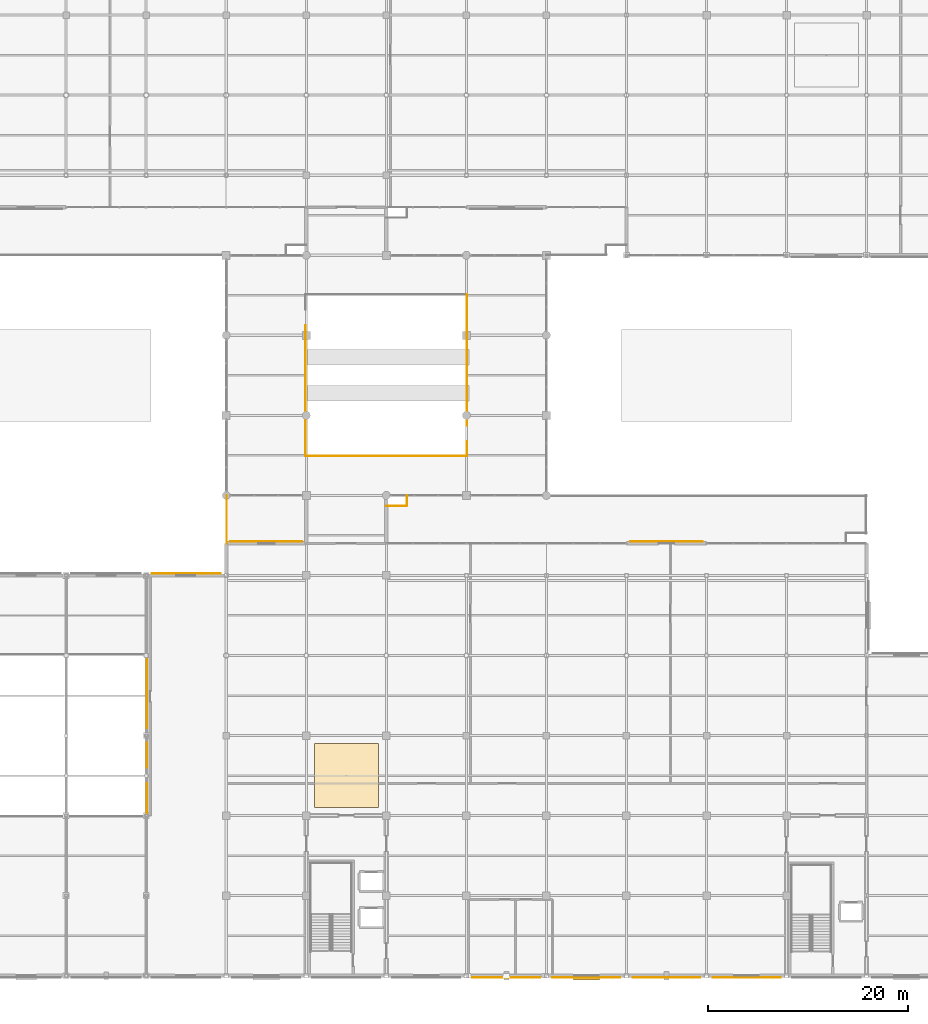
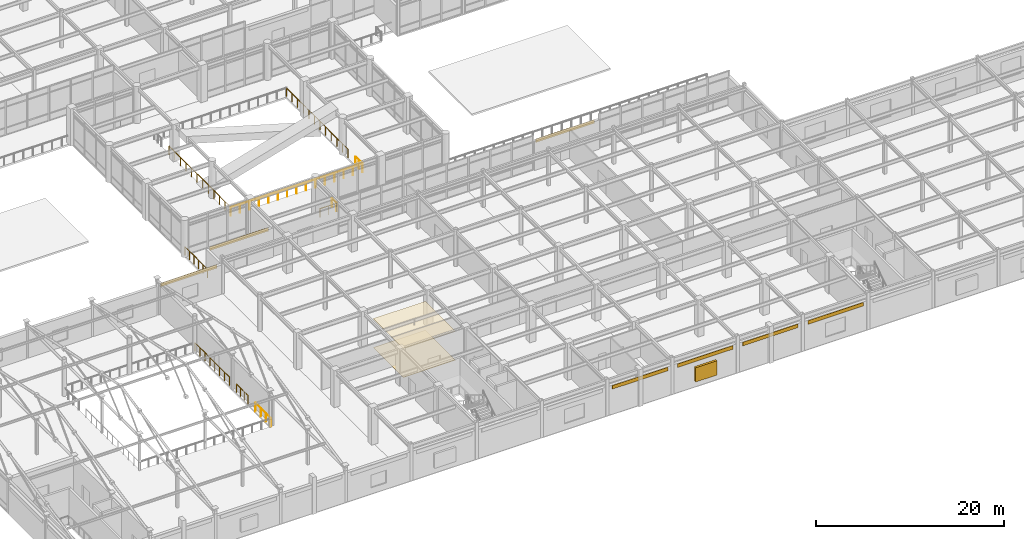
# One storey, part 107 of 117: 10 railings, 9 coverings, 1 shading device.
"""IFC4 building model written with IfcOpenShell, lengths in metres."""

from ifc_helpers import new_model, si_unit, direction, frame, origin, origin_2d, place, context, subcontext, project, spatial, polyline, rectangle, circle, outline, extrude, material, layer, layer_set, type_object, element, save


model = new_model("IFC4")

# Units and contexts
model_context = context("Model", 3, precision=1e-05, world=origin(), true_north=direction((0.0, 1.0)))
body_context = subcontext(model_context, "Body", "Model", "MODEL_VIEW")
ifc_project = project(units=[si_unit("LENGTHUNIT", "METRE"), si_unit("AREAUNIT", "SQUARE_METRE"), si_unit("VOLUMEUNIT", "CUBIC_METRE"), si_unit("PLANEANGLEUNIT", "RADIAN"), si_unit("MASSUNIT", "GRAM", prefix="KILO")], contexts=[model_context])

# Site, building, storey
site_placement = place(None, origin())
site = spatial("IfcSite", under=ifc_project, at=site_placement, CompositionType="ELEMENT")
building_placement = place(site_placement, origin())
building = spatial("IfcBuilding", under=site, at=building_placement, Name="Solmirada Galleria", CompositionType="ELEMENT")
storey_placement = place(building_placement, frame((0.0, 0.0, 5.60009765625)))
storey = spatial("IfcBuildingStorey", under=building, at=storey_placement, Name="L01", CompositionType="ELEMENT", Elevation=5.60009765625)

# Coverings
ifc_material_1 = material(Name="Perforated acoustic mineral-fibre ceiling")
ifc_layer_1 = layer(ifc_material_1, 0.02490234375)
ifc_layer_set_1 = layer_set([ifc_layer_1], Name="Perforated acoustic mineral-fibre ceiling")
covering_type_1 = type_object("IfcCoveringType", Name="COV-CEIL-ACOUST", PredefinedType="CEILING", material=ifc_layer_set_1)
covering_1_placement = place(storey_placement, frame((0.0, 0.0, 3.75)))
element("IfcCovering", 1, at=covering_1_placement, inside=storey, type_object=covering_type_1, Name="Acoustic ceiling panel L01-2", PredefinedType="CEILING", context=body_context, shape_type="SweptSolid", body=[
    extrude(outline(polyline([(88.800048828125, 16.800048828125), (95.199951171875, 16.800048828125), (95.199951171875, 23.199951171875), (88.800048828125, 23.199951171875), (88.800048828125, 16.800048828125)])), origin(), (0.0, 0.0, 1.0), 0.02490234375),
])
ifc_material_2 = material(Name="Limestone cladding panels", Category="masonry")
ifc_layer_2 = layer(ifc_material_2, 0.044921875)
ifc_layer_set_2 = layer_set([ifc_layer_2], Name="Limestone cladding panels")
covering_type_2 = type_object("IfcCoveringType", Name="COV-CLAD-LIME", PredefinedType="CLADDING", material=ifc_layer_set_2)
for number, where, z_axis, x_axis, name in (
    (2, (84.0, 43.392578125, 3.2900390625), (0.0, 0.0, 1.0), (1.0, 0.0, 0.0), "Postmodern facade cladding L01-064"),
    (3, (124.0, 43.392578125, 3.2900390625), (0.0, 0.0, 1.0), (1.0, 0.0, 0.0), "Postmodern facade cladding L01-091"),
):
    element("IfcCovering", number, at=place(storey_placement, frame(where, z_axis=z_axis, x_axis=x_axis)), inside=storey, type_object=covering_type_2, Name=name, PredefinedType="CLADDING", context=body_context, shape_type="SweptSolid", body=[
        extrude(rectangle(XDim=7.199951171875, YDim=0.044921875, at=origin_2d()), origin(), (0.0, 0.0, 1.0), 0.4599609375),
    ])
for number, where, z_axis, x_axis, name in (
    (4, (132.0, -0.1923828125, 3.2900390625), (0.0, 0.0, 1.0), (-1.0, 0.0, 0.0), "Postmodern facade cladding L01-104"),
    (5, (124.0, -0.1923828125, 3.2900390625), (0.0, 0.0, 1.0), (-1.0, 0.0, 0.0), "Postmodern facade cladding L01-105"),
    (6, (116.0, -0.1923828125, 3.2900390625), (0.0, 0.0, 1.0), (-1.0, 0.0, 0.0), "Postmodern facade cladding L01-106"),
    (7, (108.0, -0.202392578125, 3.2900390625), (0.0, 0.0, 1.0), (-1.0, 0.0, 0.0), "Postmodern facade cladding L01-107"),
):
    element("IfcCovering", number, at=place(storey_placement, frame(where, z_axis=z_axis, x_axis=x_axis)), inside=storey, type_object=covering_type_2, Name=name, PredefinedType="CLADDING", context=body_context, shape_type="SweptSolid", body=[
        extrude(rectangle(XDim=6.7939453125, YDim=0.044921875, at=origin_2d()), origin(), (0.0, 0.0, 1.0), 0.4599609375),
    ])
covering_2_placement = place(storey_placement, frame((76.0, 40.1923828125, 3.2900390625), z_axis=(0.0, 0.0, 1.0), x_axis=(1.0, 0.0, 0.0)))
element("IfcCovering", 8, at=covering_2_placement, inside=storey, type_object=covering_type_2, Name="Postmodern facade cladding L01-122", PredefinedType="CLADDING", context=body_context, shape_type="SweptSolid", body=[
    extrude(rectangle(XDim=6.89501953125, YDim=0.044921875, at=origin_2d()), origin(), (0.0, 0.0, 1.0), 0.4599609375),
])
ifc_material_3 = material(Name="Polished terrazzo and porcelain tile flooring")
ifc_layer_3 = layer(ifc_material_3, 0.030029296875)
ifc_layer_set_3 = layer_set([ifc_layer_3], Name="Polished terrazzo and porcelain tile flooring")
covering_type_3 = type_object("IfcCoveringType", Name="COV-FLOOR-TERRAZ", PredefinedType="FLOORING", material=ifc_layer_set_3)
covering_3_placement = place(storey_placement, origin())
element("IfcCovering", 9, at=covering_3_placement, inside=storey, type_object=covering_type_3, Name="Terrazzo floor finish L01-2", PredefinedType="FLOORING", context=body_context, shape_type="SweptSolid", body=[
    extrude(outline(polyline([(88.800048828125, 16.800048828125), (95.199951171875, 16.800048828125), (95.199951171875, 23.199951171875), (88.800048828125, 23.199951171875), (88.800048828125, 16.800048828125)])), origin(), (0.0, 0.0, 1.0), 0.02978515625),
])

# Railings
ifc_material_4 = material(Name="Tempered laminated glass and stainless-steel balustrade", Category="steel")
railing_type_1 = type_object("IfcRailingType", Name="RAIL-ATRIUM-BAL", PredefinedType="BALUSTRADE", material=ifc_material_4)
railing_1_placement = place(storey_placement, frame((87.919921875, 51.919921875, 0.0)))
element("IfcRailing", 10, at=railing_1_placement, inside=storey, type_object=railing_type_1, Name="Void balustrade ATRIUM L01-W1", PredefinedType="BALUSTRADE", context=body_context, shape_type="SweptSolid", body=[
    extrude(circle(Radius=0.02392578125, at=origin_2d()), frame((0.0, 0.0, 1.09619140625), z_axis=(0.0, 1.0, 0.0), x_axis=(-1.0, 0.0, 0.0)), (0.0, 0.0, 1.0), 13.080078125),
    extrude(circle(Radius=0.02099609375, at=origin_2d()), origin(), (0.0, 0.0, 1.0), 1.068115234375),
    extrude(circle(Radius=0.02099609375, at=origin_2d()), frame((0.0, 1.189208984375, 0.0)), (0.0, 0.0, 1.0), 1.068115234375),
    extrude(circle(Radius=0.02099609375, at=origin_2d()), frame((0.0, 2.378173828125, 0.0)), (0.0, 0.0, 1.0), 1.068115234375),
    extrude(circle(Radius=0.02099609375, at=origin_2d()), frame((0.0, 3.5673828125, 0.0)), (0.0, 0.0, 1.0), 1.068115234375),
    extrude(circle(Radius=0.02099609375, at=origin_2d()), frame((0.0, 4.75634765625, 0.0)), (0.0, 0.0, 1.0), 1.068115234375),
    extrude(circle(Radius=0.02099609375, at=origin_2d()), frame((0.0, 5.945556640625, 0.0)), (0.0, 0.0, 1.0), 1.068115234375),
    extrude(circle(Radius=0.02099609375, at=origin_2d()), frame((0.0, 7.134521484375, 0.0)), (0.0, 0.0, 1.0), 1.068115234375),
    extrude(circle(Radius=0.02099609375, at=origin_2d()), frame((0.0, 8.32373046875, 0.0)), (0.0, 0.0, 1.0), 1.068115234375),
    extrude(circle(Radius=0.02099609375, at=origin_2d()), frame((0.0, 9.5126953125, 0.0)), (0.0, 0.0, 1.0), 1.068115234375),
    extrude(circle(Radius=0.02099609375, at=origin_2d()), frame((0.0, 10.701904296875, 0.0)), (0.0, 0.0, 1.0), 1.068115234375),
    extrude(circle(Radius=0.02099609375, at=origin_2d()), frame((0.0, 11.890869140625, 0.0)), (0.0, 0.0, 1.0), 1.068115234375),
    extrude(circle(Radius=0.02099609375, at=origin_2d()), frame((0.0, 13.080078125, 0.0)), (0.0, 0.0, 1.0), 1.068115234375),
])
railing_2_placement = place(storey_placement, frame((104.080078125, 51.919921875, 0.0)))
element("IfcRailing", 11, at=railing_2_placement, inside=storey, type_object=railing_type_1, Name="Void balustrade ATRIUM L01-E1", PredefinedType="BALUSTRADE", context=body_context, shape_type="SweptSolid", body=[
    extrude(circle(Radius=0.02392578125, at=origin_2d()), frame((0.0, 0.0, 1.09619140625), z_axis=(0.0, 1.0, 0.0), x_axis=(-1.0, 0.0, 0.0)), (0.0, 0.0, 1.0), 1.47998046875),
    extrude(circle(Radius=0.02099609375, at=origin_2d()), origin(), (0.0, 0.0, 1.0), 1.068115234375),
    extrude(circle(Radius=0.02099609375, at=origin_2d()), frame((0.0, 0.739990234375, 0.0)), (0.0, 0.0, 1.0), 1.068115234375),
    extrude(circle(Radius=0.02099609375, at=origin_2d()), frame((0.0, 1.47998046875, 0.0)), (0.0, 0.0, 1.0), 1.068115234375),
])
railing_3_placement = place(storey_placement, frame((104.080078125, 55.0, 0.0)))
element("IfcRailing", 12, at=railing_3_placement, inside=storey, type_object=railing_type_1, Name="Void balustrade ATRIUM L01-E2", PredefinedType="BALUSTRADE", context=body_context, shape_type="SweptSolid", body=[
    extrude(circle(Radius=0.02392578125, at=origin_2d()), frame((0.0, 0.0, 1.09619140625), z_axis=(0.0, 1.0, 0.0), x_axis=(-1.0, 0.0, 0.0)), (0.0, 0.0, 1.0), 13.080078125),
    extrude(circle(Radius=0.02099609375, at=origin_2d()), origin(), (0.0, 0.0, 1.0), 1.068115234375),
    extrude(circle(Radius=0.02099609375, at=origin_2d()), frame((0.0, 1.189208984375, 0.0)), (0.0, 0.0, 1.0), 1.068115234375),
    extrude(circle(Radius=0.02099609375, at=origin_2d()), frame((0.0, 2.378173828125, 0.0)), (0.0, 0.0, 1.0), 1.068115234375),
    extrude(circle(Radius=0.02099609375, at=origin_2d()), frame((0.0, 3.5673828125, 0.0)), (0.0, 0.0, 1.0), 1.068115234375),
    extrude(circle(Radius=0.02099609375, at=origin_2d()), frame((0.0, 4.75634765625, 0.0)), (0.0, 0.0, 1.0), 1.068115234375),
    extrude(circle(Radius=0.02099609375, at=origin_2d()), frame((0.0, 5.945556640625, 0.0)), (0.0, 0.0, 1.0), 1.068115234375),
    extrude(circle(Radius=0.02099609375, at=origin_2d()), frame((0.0, 7.134521484375, 0.0)), (0.0, 0.0, 1.0), 1.068115234375),
    extrude(circle(Radius=0.02099609375, at=origin_2d()), frame((0.0, 8.32373046875, 0.0)), (0.0, 0.0, 1.0), 1.068115234375),
    extrude(circle(Radius=0.02099609375, at=origin_2d()), frame((0.0, 9.5126953125, 0.0)), (0.0, 0.0, 1.0), 1.068115234375),
    extrude(circle(Radius=0.02099609375, at=origin_2d()), frame((0.0, 10.701904296875, 0.0)), (0.0, 0.0, 1.0), 1.068115234375),
    extrude(circle(Radius=0.02099609375, at=origin_2d()), frame((0.0, 11.890869140625, 0.0)), (0.0, 0.0, 1.0), 1.068115234375),
    extrude(circle(Radius=0.02099609375, at=origin_2d()), frame((0.0, 13.080078125, 0.0)), (0.0, 0.0, 1.0), 1.068115234375),
])
railing_4_placement = place(storey_placement, frame((87.919921875, 51.919921875, 0.0)))
element("IfcRailing", 13, at=railing_4_placement, inside=storey, type_object=railing_type_1, Name="Void balustrade ATRIUM L01-S", PredefinedType="BALUSTRADE", context=body_context, shape_type="SweptSolid", body=[
    extrude(circle(Radius=0.02392578125, at=origin_2d()), frame((0.0, 0.0, 1.09619140625), z_axis=(1.0, 0.0, 0.0), x_axis=(0.0, 1.0, 0.0)), (0.0, 0.0, 1.0), 16.16015625),
    extrude(circle(Radius=0.02099609375, at=origin_2d()), origin(), (0.0, 0.0, 1.0), 1.068115234375),
    extrude(circle(Radius=0.02099609375, at=origin_2d()), frame((1.154296875, 0.0, 0.0)), (0.0, 0.0, 1.0), 1.068115234375),
    extrude(circle(Radius=0.02099609375, at=origin_2d()), frame((2.30859375, 0.0, 0.0)), (0.0, 0.0, 1.0), 1.068115234375),
    extrude(circle(Radius=0.02099609375, at=origin_2d()), frame((3.462890625, 0.0, 0.0)), (0.0, 0.0, 1.0), 1.068115234375),
    extrude(circle(Radius=0.02099609375, at=origin_2d()), frame((4.6171875, 0.0, 0.0)), (0.0, 0.0, 1.0), 1.068115234375),
    extrude(circle(Radius=0.02099609375, at=origin_2d()), frame((5.771484375, 0.0, 0.0)), (0.0, 0.0, 1.0), 1.068115234375),
    extrude(circle(Radius=0.02099609375, at=origin_2d()), frame((6.92578125, 0.0, 0.0)), (0.0, 0.0, 1.0), 1.068115234375),
    extrude(circle(Radius=0.02099609375, at=origin_2d()), frame((8.080078125, 0.0, 0.0)), (0.0, 0.0, 1.0), 1.068115234375),
    extrude(circle(Radius=0.02099609375, at=origin_2d()), frame((9.234375, 0.0, 0.0)), (0.0, 0.0, 1.0), 1.068115234375),
    extrude(circle(Radius=0.02099609375, at=origin_2d()), frame((10.388671875, 0.0, 0.0)), (0.0, 0.0, 1.0), 1.068115234375),
    extrude(circle(Radius=0.02099609375, at=origin_2d()), frame((11.54296875, 0.0, 0.0)), (0.0, 0.0, 1.0), 1.068115234375),
    extrude(circle(Radius=0.02099609375, at=origin_2d()), frame((12.697265625, 0.0, 0.0)), (0.0, 0.0, 1.0), 1.068115234375),
    extrude(circle(Radius=0.02099609375, at=origin_2d()), frame((13.8515625, 0.0, 0.0)), (0.0, 0.0, 1.0), 1.068115234375),
    extrude(circle(Radius=0.02099609375, at=origin_2d()), frame((15.005859375, 0.0, 0.0)), (0.0, 0.0, 1.0), 1.068115234375),
    extrude(circle(Radius=0.02099609375, at=origin_2d()), frame((16.16015625, 0.0, 0.0)), (0.0, 0.0, 1.0), 1.068115234375),
])
railing_5_placement = place(storey_placement, frame((72.080078125, 15.919921875, 0.0)))
element("IfcRailing", 14, at=railing_5_placement, inside=storey, type_object=railing_type_1, Name="Void balustrade FOODHALL L01-E1", PredefinedType="BALUSTRADE", context=body_context, shape_type="SweptSolid", body=[
    extrude(circle(Radius=0.02392578125, at=origin_2d()), frame((0.0, 0.0, 1.09619140625), z_axis=(0.0, 1.0, 0.0), x_axis=(-1.0, 0.0, 0.0)), (0.0, 0.0, 1.0), 3.280029296875),
    extrude(circle(Radius=0.02099609375, at=origin_2d()), origin(), (0.0, 0.0, 1.0), 1.068115234375),
    extrude(circle(Radius=0.02099609375, at=origin_2d()), frame((0.0, 1.09326171875, 0.0)), (0.0, 0.0, 1.0), 1.068115234375),
    extrude(circle(Radius=0.02099609375, at=origin_2d()), frame((0.0, 2.186767578125, 0.0)), (0.0, 0.0, 1.0), 1.068115234375),
    extrude(circle(Radius=0.02099609375, at=origin_2d()), frame((0.0, 3.280029296875, 0.0)), (0.0, 0.0, 1.0), 1.068115234375),
])
railing_6_placement = place(storey_placement, frame((72.080078125, 20.800048828125, 0.0)))
element("IfcRailing", 15, at=railing_6_placement, inside=storey, type_object=railing_type_1, Name="Void balustrade FOODHALL L01-E2", PredefinedType="BALUSTRADE", context=body_context, shape_type="SweptSolid", body=[
    extrude(circle(Radius=0.02392578125, at=origin_2d()), frame((0.0, 0.0, 1.09619140625), z_axis=(0.0, 1.0, 0.0), x_axis=(-1.0, 0.0, 0.0)), (0.0, 0.0, 1.0), 2.449951171875),
    extrude(circle(Radius=0.02099609375, at=origin_2d()), origin(), (0.0, 0.0, 1.0), 1.068115234375),
    extrude(circle(Radius=0.02099609375, at=origin_2d()), frame((0.0, 0.816650390625, 0.0)), (0.0, 0.0, 1.0), 1.068115234375),
    extrude(circle(Radius=0.02099609375, at=origin_2d()), frame((0.0, 1.63330078125, 0.0)), (0.0, 0.0, 1.0), 1.068115234375),
    extrude(circle(Radius=0.02099609375, at=origin_2d()), frame((0.0, 2.449951171875, 0.0)), (0.0, 0.0, 1.0), 1.068115234375),
])
railing_7_placement = place(storey_placement, frame((72.080078125, 24.75, 0.0)))
element("IfcRailing", 16, at=railing_7_placement, inside=storey, type_object=railing_type_1, Name="Void balustrade FOODHALL L01-E3", PredefinedType="BALUSTRADE", context=body_context, shape_type="SweptSolid", body=[
    extrude(circle(Radius=0.02392578125, at=origin_2d()), frame((0.0, 0.0, 1.09619140625), z_axis=(0.0, 1.0, 0.0), x_axis=(-1.0, 0.0, 0.0)), (0.0, 0.0, 1.0), 7.330078125),
    extrude(circle(Radius=0.02099609375, at=origin_2d()), origin(), (0.0, 0.0, 1.0), 1.068115234375),
    extrude(circle(Radius=0.02099609375, at=origin_2d()), frame((0.0, 1.047119140625, 0.0)), (0.0, 0.0, 1.0), 1.068115234375),
    extrude(circle(Radius=0.02099609375, at=origin_2d()), frame((0.0, 2.09423828125, 0.0)), (0.0, 0.0, 1.0), 1.068115234375),
    extrude(circle(Radius=0.02099609375, at=origin_2d()), frame((0.0, 3.141357421875, 0.0)), (0.0, 0.0, 1.0), 1.068115234375),
    extrude(circle(Radius=0.02099609375, at=origin_2d()), frame((0.0, 4.188720703125, 0.0)), (0.0, 0.0, 1.0), 1.068115234375),
    extrude(circle(Radius=0.02099609375, at=origin_2d()), frame((0.0, 5.23583984375, 0.0)), (0.0, 0.0, 1.0), 1.068115234375),
    extrude(circle(Radius=0.02099609375, at=origin_2d()), frame((0.0, 6.282958984375, 0.0)), (0.0, 0.0, 1.0), 1.068115234375),
    extrude(circle(Radius=0.02099609375, at=origin_2d()), frame((0.0, 7.330078125, 0.0)), (0.0, 0.0, 1.0), 1.068115234375),
])
ifc_material_5 = material(Name="Painted galvanized steel balustrade", Category="steel")
railing_type_2 = type_object("IfcRailingType", Name="RAIL-TERR-1100", PredefinedType="GUARDRAIL", material=ifc_material_5)
railing_8_placement = place(storey_placement, frame((80.050048828125, 48.0, 0.0)))
element("IfcRailing", 17, at=railing_8_placement, inside=storey, type_object=railing_type_2, Name="Terrace guardrail L01-TERR-SW E4.1", PredefinedType="GUARDRAIL", context=body_context, shape_type="SweptSolid", body=[
    extrude(circle(Radius=0.02392578125, at=origin_2d()), frame((0.0, 0.0, 1.09619140625), z_axis=(0.0, -1.0, 0.0), x_axis=(1.0, 0.0, 0.0)), (0.0, 0.0, 1.0), 4.800048828125),
    extrude(circle(Radius=0.02099609375, at=origin_2d()), origin(), (0.0, 0.0, 1.0), 1.068115234375),
    extrude(circle(Radius=0.02099609375, at=origin_2d()), frame((0.0, -0.9599609375, 0.0)), (0.0, 0.0, 1.0), 1.068115234375),
    extrude(circle(Radius=0.02099609375, at=origin_2d()), frame((0.0, -1.919921875, 0.0)), (0.0, 0.0, 1.0), 1.068115234375),
    extrude(circle(Radius=0.02099609375, at=origin_2d()), frame((0.0, -2.880126953125, 0.0)), (0.0, 0.0, 1.0), 1.068115234375),
    extrude(circle(Radius=0.02099609375, at=origin_2d()), frame((0.0, -3.840087890625, 0.0)), (0.0, 0.0, 1.0), 1.068115234375),
    extrude(circle(Radius=0.02099609375, at=origin_2d()), frame((0.0, -4.800048828125, 0.0)), (0.0, 0.0, 1.0), 1.068115234375),
])
railing_9_placement = place(storey_placement, frame((98.050048828125, 48.0, 0.0)))
element("IfcRailing", 18, at=railing_9_placement, inside=storey, type_object=railing_type_2, Name="Terrace guardrail L01-TERR-SE E6.1", PredefinedType="GUARDRAIL", context=body_context, shape_type="SweptSolid", body=[
    extrude(circle(Radius=0.02392578125, at=origin_2d()), frame((0.0, 0.0, 1.09619140625), z_axis=(0.0, -1.0, 0.0), x_axis=(1.0, 0.0, 0.0)), (0.0, 0.0, 1.0), 1.0),
    extrude(circle(Radius=0.02099609375, at=origin_2d()), origin(), (0.0, 0.0, 1.0), 1.068115234375),
    extrude(circle(Radius=0.02099609375, at=origin_2d()), frame((0.0, -1.0, 0.0)), (0.0, 0.0, 1.0), 1.068115234375),
])
railing_10_placement = place(storey_placement, frame((98.0, 46.949951171875, 0.0)))
element("IfcRailing", 19, at=railing_10_placement, inside=storey, type_object=railing_type_2, Name="Terrace guardrail L01-TERR-SE E7.1", PredefinedType="GUARDRAIL", context=body_context, shape_type="SweptSolid", body=[
    extrude(circle(Radius=0.02392578125, at=origin_2d()), frame((0.0, 0.0, 1.09619140625), z_axis=(-1.0, 0.0, 0.0), x_axis=(0.0, -1.0, 0.0)), (0.0, 0.0, 1.0), 2.0),
    extrude(circle(Radius=0.02099609375, at=origin_2d()), origin(), (0.0, 0.0, 1.0), 1.068115234375),
    extrude(circle(Radius=0.02099609375, at=origin_2d()), frame((-1.0, 0.0, 0.0)), (0.0, 0.0, 1.0), 1.068115234375),
    extrude(circle(Radius=0.02099609375, at=origin_2d()), frame((-2.0, 0.0, 0.0)), (0.0, 0.0, 1.0), 1.068115234375),
])

# Shading device
ifc_material_6 = material(Name="Extruded aluminium storm louvres", Category="aluminium")
shading_device_type = type_object("IfcShadingDeviceType", Name="SHD-JALOUSIE", PredefinedType="JALOUSIE", material=ifc_material_6)
shading_device_placement = place(storey_placement, frame((116.0, -0.300048828125, 0.7998046875), z_axis=(0.0, 0.0, 1.0), x_axis=(-1.0, 0.0, 0.0)))
element("IfcShadingDevice", 20, at=shading_device_placement, inside=storey, type_object=shading_device_type, Name="Hurricane storm jalousie louvre 046", PredefinedType="JALOUSIE", context=body_context, shape_type="SweptSolid", body=[
    extrude(rectangle(XDim=2.610107421875, YDim=0.260009765625, at=origin_2d()), origin(), (0.0, 0.0, 1.0), 1.85009765625),
])

save(model, "model.ifc")
